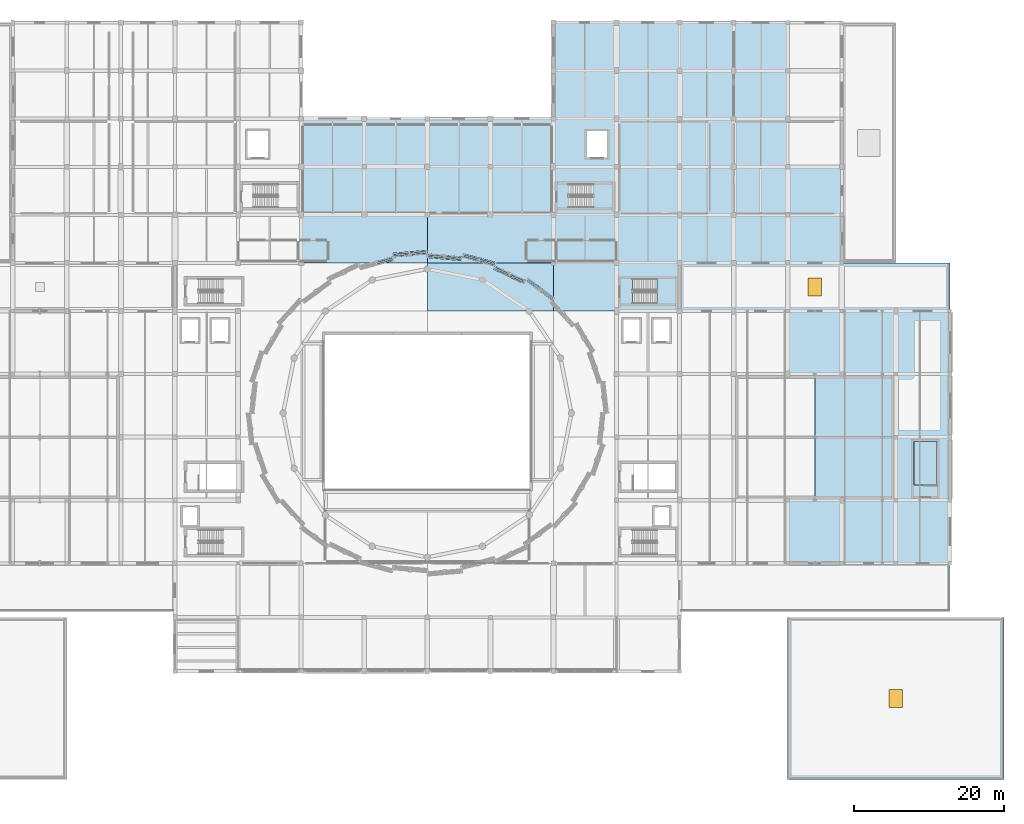
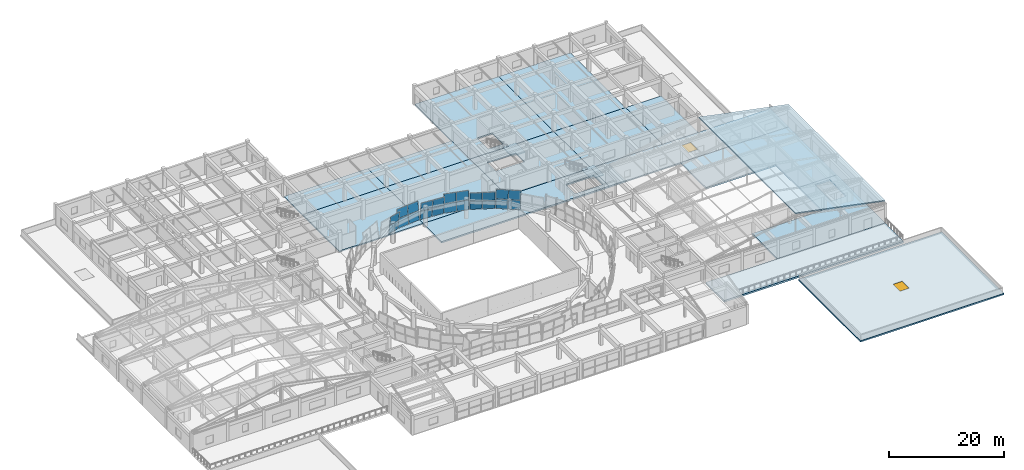
# One storey, part 52 of 74: 22 plates, 19 slabs, 2 windows, 2 openings, 8 elements without a shape of their own.
"""IFC4 building model written with IfcOpenShell, lengths in metres."""

from ifc_helpers import new_model, si_unit, direction, frame, origin, origin_2d, place, context, subcontext, project, spatial, polyline, rectangle, outline, extrude, material, layer, layer_set, type_object, element, fill, aggregate, save


model = new_model("IFC4")

# Units and contexts
model_context = context("Model", 3, precision=1e-05, world=origin(), true_north=direction((0.0, 1.0)))
body_context = subcontext(model_context, "Body", "Model", "MODEL_VIEW")
ifc_project = project(units=[si_unit("LENGTHUNIT", "METRE"), si_unit("AREAUNIT", "SQUARE_METRE"), si_unit("VOLUMEUNIT", "CUBIC_METRE"), si_unit("PLANEANGLEUNIT", "RADIAN"), si_unit("MASSUNIT", "GRAM", prefix="KILO")], contexts=[model_context])

# Site, building, storey
site_placement = place(None, origin())
site = spatial("IfcSite", under=ifc_project, at=site_placement, CompositionType="ELEMENT")
building_placement = place(site_placement, origin())
building = spatial("IfcBuilding", under=site, at=building_placement, Name="Korsvaeld Concert Hall", CompositionType="ELEMENT")
storey_placement = place(building_placement, frame((0.0, 0.0, 9.0)))
storey = spatial("IfcBuildingStorey", under=building, at=storey_placement, Name="L02", CompositionType="ELEMENT", Elevation=9.0)

# Curtain wall, plates
ifc_material_1 = material(Name="Anodised bronze and ceramic-fritted safety glass", Category="glass")
curtain_wall_type_1 = type_object("IfcCurtainWallType", Name="CW-TYPE-05", PredefinedType="USERDEFINED", material=ifc_material_1)
curtain_wall_1_placement = place(storey_placement, origin())
curtain_wall_1 = element("IfcCurtainWall", 1, at=curtain_wall_1_placement, inside=storey, type_object=curtain_wall_type_1, Name="Crystal curtain-wall facet L02 F05", ObjectType="CURTAIN WALL", PredefinedType="USERDEFINED")
ifc_material_2 = material(Name="Translucent ceramic-fritted crystal safety glass", Category="glass")
ifc_layer_1 = layer(ifc_material_2, 0.035888671875)
ifc_layer_set_1 = layer_set([ifc_layer_1], Name="Translucent ceramic-fritted crystal safety glass")
plate_type = type_object("IfcPlateType", Name="CWP-CRYSTAL-36", PredefinedType="CURTAIN_PANEL", material=ifc_layer_set_1)
plate_1_placement = place(storey_placement, frame((100.6318359375, 78.240234375, 0.06005859375), z_axis=(0.58966384127, 0.799752792031, -0.11265889196), x_axis=(-0.804877212545, 0.593441381012, -5.215109e-06)))
plate_1 = element("IfcPlate", 2, at=plate_1_placement, type_object=plate_type, Name="CW-CRYS-L02-F05 ceramic-fritted crystal panel 1.1", PredefinedType="CURTAIN_PANEL", context=body_context, shape_type="SweptSolid", body=[
    extrude(outline(polyline([(0.0, 0.0), (2.1089579535883605, -1.3877787807814457e-17), (2.086822375290605, 1.8617166035808894), (-0.022280461447416227, 1.8616944649944416), (0.0, 0.0)])), frame((0.0, 0.0, 0.01806640625)), (0.0, 0.0, -1.0), 0.035888671875),
])
plate_2_placement = place(storey_placement, frame((100.77880859375, 78.40087890625, 1.969970703125), z_axis=(0.589599242948, 0.799800689785, -0.112656954223), x_axis=(-0.804925146945, 0.593376362691, -3.844294e-06)))
plate_2 = element("IfcPlate", 3, at=plate_2_placement, type_object=plate_type, Name="CW-CRYS-L02-F05 ceramic-fritted crystal panel 1.2", PredefinedType="CURTAIN_PANEL", context=body_context, shape_type="SweptSolid", body=[
    extrude(outline(polyline([(0.0, 0.0), (2.1091544694851763, 1.3877787807814457e-17), (2.0870044759958724, 1.8619590184550607), (-0.021953478560850295, 1.8619426988996264), (0.0, 0.0)])), frame((0.0, 0.0, 0.01806640625)), (0.0, 0.0, -1.0), 0.035888671875),
])
plate_3_placement = place(storey_placement, frame((98.8740234375, 79.5361328125, 0.06005859375), z_axis=(0.589669009393, 0.799759801484, -0.112582055815), x_axis=(-0.804876511252, 0.593442332167, 5.21124e-06)))
plate_3 = element("IfcPlate", 4, at=plate_3_placement, type_object=plate_type, Name="CW-CRYS-L02-F05 ceramic-fritted crystal panel 2.1", PredefinedType="CURTAIN_PANEL", context=body_context, shape_type="SweptSolid", body=[
    extrude(outline(polyline([(0.0, 0.0), (2.1091028368541727, 0.0), (2.0870384134176914, 1.8616783883797805), (-0.021919540054604832, 1.8617005103474094), (0.0, 0.0)])), frame((0.0, 0.0, 0.01806640625)), (0.0, 0.0, -1.0), 0.035888671875),
])
plate_4_placement = place(storey_placement, frame((99.020751953125, 79.697021484375, 1.969970703125), z_axis=(0.589606250178, 0.799810195203, -0.112552749416), x_axis=(-0.80492463014, 0.593377063746, 3.841142e-06)))
plate_4 = element("IfcPlate", 5, at=plate_4_placement, type_object=plate_type, Name="CW-CRYS-L02-F05 ceramic-fritted crystal panel 2.2", PredefinedType="CURTAIN_PANEL", context=body_context, shape_type="SweptSolid", body=[
    extrude(outline(polyline([(0.0, 0.0), (2.108957954619836, -1.3877787807814457e-17), (2.086874010048548, 1.8619207482265476), (-0.02228045937356795, 1.8619370542060762), (0.0, 0.0)])), frame((0.0, 0.0, 0.01806640625)), (0.0, 0.0, -1.0), 0.035888671875),
])
aggregate(curtain_wall_1, [plate_1, plate_2, plate_3, plate_4])

curtain_wall_type_2 = type_object("IfcCurtainWallType", Name="CW-TYPE-06", PredefinedType="USERDEFINED", material=ifc_material_1)
curtain_wall_2_placement = place(storey_placement, origin())
curtain_wall_2 = element("IfcCurtainWall", 6, at=curtain_wall_2_placement, inside=storey, type_object=curtain_wall_type_2, Name="Crystal curtain-wall facet L02 F06", ObjectType="CURTAIN WALL", PredefinedType="USERDEFINED")
plate_5_placement = place(storey_placement, frame((97.040283203125, 80.853759765625, 0.06005859375), z_axis=(0.430113427157, 0.895703033921, 0.112776392934), x_axis=(-0.901453820686, 0.432875281302, -2.753526e-06)))
plate_5 = element("IfcPlate", 7, at=plate_5_placement, type_object=plate_type, Name="CW-CRYS-L02-F06 ceramic-fritted crystal panel 1.1", PredefinedType="CURTAIN_PANEL", context=body_context, shape_type="SweptSolid", body=[
    extrude(outline(polyline([(0.0, 0.0), (2.1504142538707636, 2.7755575615628914e-17), (2.1692688111347143, 1.8617366370278832), (0.018634475764759413, 1.8617247179411751), (0.0, 0.0)])), frame((0.0, 0.0, 0.01806640625)), (0.0, 0.0, -1.0), 0.035888671875),
])
plate_6_placement = place(storey_placement, frame((96.92919921875, 80.666748046875, 1.969970703125), z_axis=(0.430090776937, 0.89571226322, 0.112789472515), x_axis=(-0.901464591462, 0.432852850679, 0.0)))
plate_6 = element("IfcPlate", 8, at=plate_6_placement, type_object=plate_type, Name="CW-CRYS-L02-F06 ceramic-fritted crystal panel 1.2", PredefinedType="CURTAIN_PANEL", context=body_context, shape_type="SweptSolid", body=[
    extrude(outline(polyline([(0.0, 0.0), (2.150634336043882, 0.0), (2.1694992125629495, 1.8619791157700134), (0.01886487651906714, 1.8619791157700134), (0.0, 0.0)])), frame((0.0, 0.0, 0.01806640625)), (0.0, 0.0, -1.0), 0.035888671875),
])
plate_7_placement = place(storey_placement, frame((95.0341796875, 81.817138671875, 0.06005859375), z_axis=(0.429998436231, 0.895754874635, 0.112803144489), x_axis=(-0.901508884705, 0.432760592935, 0.0)))
plate_7 = element("IfcPlate", 9, at=plate_7_placement, type_object=plate_type, Name="CW-CRYS-L02-F06 ceramic-fritted crystal panel 2.1", PredefinedType="CURTAIN_PANEL", context=body_context, shape_type="SweptSolid", body=[
    extrude(outline(polyline([(0.0, 0.0), (2.1505286703400395, 0.0), (2.169415039256542, 1.8617363153269957), (0.01888636891650229, 1.8617363153269957), (0.0, 0.0)])), frame((0.0, 0.0, 0.01806640625)), (0.0, 0.0, -1.0), 0.035888671875),
])
plate_8_placement = place(storey_placement, frame((94.9228515625, 81.630126953125, 1.969970703125), z_axis=(0.430022527134, 0.89574865601, 0.112760682039), x_axis=(-0.901498388408, 0.432782457697, 2.752414e-06)))
plate_8 = element("IfcPlate", 10, at=plate_8_placement, type_object=plate_type, Name="CW-CRYS-L02-F06 ceramic-fritted crystal panel 2.2", PredefinedType="CURTAIN_PANEL", context=body_context, shape_type="SweptSolid", body=[
    extrude(outline(polyline([(0.0, 0.0), (2.15052866969938, 0.0), (2.169194944960207, 1.8619669834991164), (0.018886367640809625, 1.8619788971660192), (0.0, 0.0)])), frame((0.0, 0.0, 0.01806640625)), (0.0, 0.0, -1.0), 0.035888671875),
])
aggregate(curtain_wall_2, [plate_5, plate_6, plate_7, plate_8])

curtain_wall_type_3 = type_object("IfcCurtainWallType", Name="CW-TYPE-07", PredefinedType="USERDEFINED", material=ifc_material_1)
curtain_wall_3_placement = place(storey_placement, origin())
curtain_wall_3 = element("IfcCurtainWall", 11, at=curtain_wall_3_placement, inside=storey, type_object=curtain_wall_type_3, Name="Crystal curtain-wall facet L02 F07", ObjectType="CURTAIN WALL", PredefinedType="USERDEFINED")
plate_9_placement = place(storey_placement, frame((92.961181640625, 82.8125, 0.06005859375), z_axis=(0.261163257484, 0.95865482659, -0.113025114009), x_axis=(-0.964837427091, 0.262847368795, -1.651408e-06)))
plate_9 = element("IfcPlate", 12, at=plate_9_placement, type_object=plate_type, Name="CW-CRYS-L02-F07 ceramic-fritted crystal panel 1.1", PredefinedType="CURTAIN_PANEL", context=body_context, shape_type="SweptSolid", body=[
    extrude(outline(polyline([(0.0, 0.0), (2.181938867944761, 0.0), (2.1691792653197046, 1.8617871854522823), (-0.012524046612582879, 1.8617799328227183), (0.0, 0.0)])), frame((0.0, 0.0, 0.01806640625)), (0.0, 0.0, -1.0), 0.035888671875),
])
plate_10_placement = place(storey_placement, frame((93.03076171875, 83.0185546875, 1.969970703125), z_axis=(0.26128178054, 0.958626175241, -0.112994191446), x_axis=(-0.964805126409, 0.262965906641, 0.0)))
plate_10 = element("IfcPlate", 13, at=plate_10_placement, type_object=plate_type, Name="CW-CRYS-L02-F07 ceramic-fritted crystal panel 1.2", PredefinedType="CURTAIN_PANEL", context=body_context, shape_type="SweptSolid", body=[
    extrude(outline(polyline([(0.0, 0.0), (2.1817675001225645, 1.3877787807814457e-17), (2.1692723577260082, 1.862022704165911), (-0.01249514239655624, 1.862022704165911), (0.0, 0.0)])), frame((0.0, 0.0, 0.01806640625)), (0.0, 0.0, -1.0), 0.035888671875),
])
plate_11_placement = place(storey_placement, frame((90.78369140625, 83.40576171875, 0.06005859375), z_axis=(0.261177861988, 0.958652842085, -0.1130081978), x_axis=(-0.964833511963, 0.262861739689, 0.0)))
plate_11 = element("IfcPlate", 14, at=plate_11_placement, type_object=plate_type, Name="CW-CRYS-L02-F07 ceramic-fritted crystal panel 2.1", PredefinedType="CURTAIN_PANEL", context=body_context, shape_type="SweptSolid", body=[
    extrude(outline(polyline([(0.0, 0.0), (2.1817033121772686, -1.3877787807814457e-17), (2.1691854542095044, 1.8617799747159085), (-0.012517857967764405, 1.8617799747159085), (0.0, 0.0)])), frame((0.0, 0.0, 0.01806640625)), (0.0, 0.0, -1.0), 0.035888671875),
])
plate_12_placement = place(storey_placement, frame((90.853271484375, 83.61181640625, 1.969970703125), z_axis=(0.26128178054, 0.958626175241, -0.112994191446), x_axis=(-0.964805126409, 0.262965906641, 0.0)))
plate_12 = element("IfcPlate", 15, at=plate_12_placement, type_object=plate_type, Name="CW-CRYS-L02-F07 ceramic-fritted crystal panel 2.2", PredefinedType="CURTAIN_PANEL", context=body_context, shape_type="SweptSolid", body=[
    extrude(outline(polyline([(0.0, 0.0), (2.1817675001225645, 1.3877787807814457e-17), (2.1692723577260082, 1.862022704165911), (-0.01249514239655624, 1.862022704165911), (0.0, 0.0)])), frame((0.0, 0.0, 0.01806640625)), (0.0, 0.0, -1.0), 0.035888671875),
])
aggregate(curtain_wall_3, [plate_9, plate_10, plate_11, plate_12])

curtain_wall_type_4 = type_object("IfcCurtainWallType", Name="CW-TYPE-08", PredefinedType="USERDEFINED", material=ifc_material_1)
curtain_wall_4_placement = place(storey_placement, origin())
curtain_wall_4 = element("IfcCurtainWall", 16, at=curtain_wall_4_placement, inside=storey, type_object=curtain_wall_type_4, Name="Crystal curtain-wall facet L02 F08", ObjectType="CURTAIN WALL", PredefinedType="USERDEFINED")
plate_13_placement = place(storey_placement, frame((88.528564453125, 83.992431640625, 0.06005859375), z_axis=(0.087550800333, 0.989704699412, 0.113223077693), x_axis=(-0.996110030963, 0.088118137607, -6.221905e-06)))
plate_13 = element("IfcPlate", 17, at=plate_13_placement, type_object=plate_type, Name="CW-CRYS-L02-F08 ceramic-fritted crystal panel 1.1", PredefinedType="CURTAIN_PANEL", context=body_context, shape_type="SweptSolid", body=[
    extrude(outline(polyline([(0.0, 0.0), (2.1985040964360127, 0.0), (2.202872680257496, 1.8618396095481469), (0.004390097038672322, 1.861812074856083), (0.0, 0.0)])), frame((0.0, 0.0, 0.01806640625)), (0.0, 0.0, -1.0), 0.035888671875),
])
plate_14_placement = place(storey_placement, frame((88.5048828125, 83.776123046875, 1.969970703125), z_axis=(0.08755094843, 0.989706373559, 0.113208328167), x_axis=(-0.99611003098, 0.088118137423, -6.221105e-06)))
plate_14 = element("IfcPlate", 18, at=plate_14_placement, type_object=plate_type, Name="CW-CRYS-L02-F08 ceramic-fritted crystal panel 1.2", PredefinedType="CURTAIN_PANEL", context=body_context, shape_type="SweptSolid", body=[
    extrude(outline(polyline([(0.0, 0.0), (2.1985040964360016, -6.938893903907228e-18), (2.2028726802575074, 1.8620821786575152), (0.004390097038649884, 1.8620546475523847), (0.0, 0.0)])), frame((0.0, 0.0, 0.01806640625)), (0.0, 0.0, -1.0), 0.035888671875),
])
plate_15_placement = place(storey_placement, frame((86.263916015625, 84.19287109375, 0.06005859375), z_axis=(0.087496708916, 0.989716871347, 0.113158475156), x_axis=(-0.996114965607, 0.088062337539, 0.0)))
plate_15 = element("IfcPlate", 19, at=plate_15_placement, type_object=plate_type, Name="CW-CRYS-L02-F08 ceramic-fritted crystal panel 2.1", PredefinedType="CURTAIN_PANEL", context=body_context, shape_type="SweptSolid", body=[
    extrude(outline(polyline([(0.0, 0.0), (2.198482586710795, 0.0), (2.2028959951967466, 1.8618120236622642), (0.004413408485951821, 1.8618120236622642), (0.0, 0.0)])), frame((0.0, 0.0, 0.01806640625)), (0.0, 0.0, -1.0), 0.035888671875),
])
plate_16_placement = place(storey_placement, frame((86.240234375, 83.9765625, 1.969970703125), z_axis=(0.08755094843, 0.989706373559, 0.113208328167), x_axis=(-0.996110155902, 0.088116725255, 6.221166e-06)))
plate_16 = element("IfcPlate", 20, at=plate_16_placement, type_object=plate_type, Name="CW-CRYS-L02-F08 ceramic-fritted crystal panel 2.2", PredefinedType="CURTAIN_PANEL", context=body_context, shape_type="SweptSolid", body=[
    extrude(outline(polyline([(0.0, 0.0), (2.19848258339124, 0.0), (2.2028959985229655, 1.8620545924301783), (0.004391902259348233, 1.8620821238047118), (0.0, 0.0)])), frame((0.0, 0.0, 0.01806640625)), (0.0, 0.0, -1.0), 0.035888671875),
])
aggregate(curtain_wall_4, [plate_13, plate_14, plate_15, plate_16])

curtain_wall_type_5 = type_object("IfcCurtainWallType", Name="CW-TYPE-01", PredefinedType="USERDEFINED", material=ifc_material_1)
curtain_wall_5_placement = place(storey_placement, origin())
curtain_wall_5 = element("IfcCurtainWall", 21, at=curtain_wall_5_placement, inside=storey, type_object=curtain_wall_type_5, Name="Crystal curtain-wall facet L02 F09", ObjectType="CURTAIN WALL", PredefinedType="USERDEFINED")
plate_17_placement = place(storey_placement, frame((83.924560546875, 84.400146484375, 0.06005859375), z_axis=(-0.087550800333, 0.989704699412, -0.113223077693), x_axis=(-0.996110030963, -0.088118137607, -6.221905e-06)))
plate_17 = element("IfcPlate", 22, at=plate_17_placement, type_object=plate_type, Name="CW-CRYS-L02-F09 ceramic-fritted crystal panel 1.1", PredefinedType="CURTAIN_PANEL", context=body_context, shape_type="SweptSolid", body=[
    extrude(outline(polyline([(0.0, 0.0), (2.1985040964360127, 0.0), (2.202872680257496, 1.8618396095481469), (0.004390097038672322, 1.861812074856083), (0.0, 0.0)])), frame((0.0, 0.0, 0.01806640625)), (0.0, 0.0, -1.0), 0.035888671875),
])
plate_18_placement = place(storey_placement, frame((83.90087890625, 84.616455078125, 1.969970703125), z_axis=(-0.08755094843, 0.989706373559, -0.113208328167), x_axis=(-0.99611003098, -0.088118137423, -6.221105e-06)))
plate_18 = element("IfcPlate", 23, at=plate_18_placement, type_object=plate_type, Name="CW-CRYS-L02-F09 ceramic-fritted crystal panel 1.2", PredefinedType="CURTAIN_PANEL", context=body_context, shape_type="SweptSolid", body=[
    extrude(outline(polyline([(0.0, 0.0), (2.1985040964360016, -6.938893903907228e-18), (2.2028726802575074, 1.8620821786575152), (0.004390097038649884, 1.8620546475523847), (0.0, 0.0)])), frame((0.0, 0.0, 0.01806640625)), (0.0, 0.0, -1.0), 0.035888671875),
])
plate_19_placement = place(storey_placement, frame((81.659912109375, 84.19970703125, 0.06005859375), z_axis=(-0.087545901141, 0.989704481647, -0.113228769322), x_axis=(-0.996110581492, -0.088111914102, 5.671876e-06)))
plate_19 = element("IfcPlate", 24, at=plate_19_placement, type_object=plate_type, Name="CW-CRYS-L02-F09 ceramic-fritted crystal panel 2.1", PredefinedType="CURTAIN_PANEL", context=body_context, shape_type="SweptSolid", body=[
    extrude(outline(polyline([(0.0, 0.0), (2.1984825839525497, 0.0), (2.2031391900911093, 1.8618144533752725), (0.00439190338084598, 1.86183955534834), (0.0, 0.0)])), frame((0.0, 0.0, 0.01806640625)), (0.0, 0.0, -1.0), 0.035888671875),
])
plate_20_placement = place(storey_placement, frame((81.63623046875, 84.416015625, 1.969970703125), z_axis=(-0.087541265095, 0.98970723272, -0.113208305385), x_axis=(-0.996111018006, -0.088106979112, 6.220482e-06)))
plate_20 = element("IfcPlate", 25, at=plate_20_placement, type_object=plate_type, Name="CW-CRYS-L02-F09 ceramic-fritted crystal panel 2.2", PredefinedType="CURTAIN_PANEL", context=body_context, shape_type="SweptSolid", body=[
    extrude(outline(polyline([(0.0, 0.0), (2.1987257756269907, -3.469446951953614e-18), (2.203141250828412, 1.8620545875462846), (0.00439396470847407, 1.8620821189390757), (0.0, 0.0)])), frame((0.0, 0.0, 0.01806640625)), (0.0, 0.0, -1.0), 0.035888671875),
])
aggregate(curtain_wall_5, [plate_17, plate_18, plate_19, plate_20])

curtain_wall_type_6 = type_object("IfcCurtainWallType", Name="CW-TYPE-02", PredefinedType="USERDEFINED", material=ifc_material_1)
curtain_wall_6_placement = place(storey_placement, origin())
curtain_wall_6 = element("IfcCurtainWall", 26, at=curtain_wall_6_placement, inside=storey, type_object=curtain_wall_type_6, Name="Crystal curtain-wall facet L02 F10", ObjectType="CURTAIN WALL", PredefinedType="USERDEFINED")
plate_21_placement = place(storey_placement, frame((79.32568359375, 83.96630859375, 0.06005859375), z_axis=(-0.261177861988, 0.958652842085, 0.1130081978), x_axis=(-0.964833511963, -0.262861739689, 0.0)))
plate_21 = element("IfcPlate", 27, at=plate_21_placement, type_object=plate_type, Name="CW-CRYS-L02-F10 ceramic-fritted crystal panel 1.1", PredefinedType="CURTAIN_PANEL", context=body_context, shape_type="SweptSolid", body=[
    extrude(outline(polyline([(0.0, 0.0), (2.1817033121772686, -1.3877787807814457e-17), (2.1691854542095044, 1.8617799747159085), (-0.012517857967764405, 1.8617799747159085), (0.0, 0.0)])), frame((0.0, 0.0, 0.01806640625)), (0.0, 0.0, -1.0), 0.035888671875),
])
plate_22_placement = place(storey_placement, frame((79.395263671875, 83.76025390625, 1.969970703125), z_axis=(-0.261267170979, 0.958628162452, 0.113011112386), x_axis=(-0.964808945702, -0.262951893492, 1.651991e-06)))
plate_22 = element("IfcPlate", 28, at=plate_22_placement, type_object=plate_type, Name="CW-CRYS-L02-F10 ceramic-fritted crystal panel 1.2", PredefinedType="CURTAIN_PANEL", context=body_context, shape_type="SweptSolid", body=[
    extrude(outline(polyline([(0.0, 0.0), (2.18176749988946, -1.3877787807814457e-17), (2.1692723579577784, 1.8620227038958976), (-0.012730690990690737, 1.8620299592839915), (0.0, 0.0)])), frame((0.0, 0.0, 0.01806640625)), (0.0, 0.0, -1.0), 0.035888671875),
])
aggregate(curtain_wall_6, [plate_21, plate_22])

# Slab, opening, window
ifc_material_3 = material(Name="Concrete C35/45", Category="concrete")
ifc_layer_2 = layer(ifc_material_3, 0.300048828125)
ifc_layer_set_2 = layer_set([ifc_layer_2], Name="Concrete C35/45")
slab_type_1 = type_object("IfcSlabType", Name="SLB-FLATROOF-300", PredefinedType="ROOF", material=ifc_layer_set_2)
slab_1_placement = place(storey_placement, frame((0.0, 0.0, -0.300048828125)))
slab_1 = element("IfcSlab", 29, at=slab_1_placement, inside=storey, type_object=slab_type_1, Name="Flat acoustic roof ROOF_L02_SE", PredefinedType="ROOF", context=body_context, shape_type="SweptSolid", body=[
    extrude(outline(polyline([(132.0, 14.39990234375), (132.0, 36.0), (160.800048828125, 36.0), (160.800048828125, 14.39990234375), (132.0, 14.39990234375)])), origin(), (0.0, 0.0, 1.0), 0.300048828125),
])
opening_1_placement = place(slab_1_placement, frame((146.39990234375, 25.199951171875, -0.010009765625)))
opening_1 = element("IfcOpeningElement", 30, at=opening_1_placement, cuts=slab_1, Name="Opening SK-02", PredefinedType="OPENING", context=body_context, shape_type="SweptSolid", body=[
    extrude(rectangle(XDim=1.800048828125, YDim=2.39990234375, at=origin_2d()), origin(), (0.0, 0.0, 1.0), 0.320068359375),
])
ifc_material_4 = material(Name="Anodised bronze frame with acoustic triple glazing", Category="glass")
window_type = type_object("IfcWindowType", Name="SKY-LIGHT-180x240", PartitioningType="SINGLE_PANEL", PredefinedType="SKYLIGHT", material=ifc_material_4)
window_1_placement = place(slab_1_placement, frame((146.39990234375, 25.199951171875, 0.25)))
window_1 = element("IfcWindow", 31, at=window_1_placement, inside=storey, type_object=window_type, Name="Acoustic skylight / roof hatch SLB-ROOF_L02_SE", OverallHeight=2.39990234375, OverallWidth=1.800048828125, PartitioningType="SINGLE_PANEL", PredefinedType="SKYLIGHT", context=body_context, shape_type="SweptSolid", body=[
    extrude(rectangle(XDim=1.800048828125, YDim=2.39990234375, at=origin_2d()), origin(), (0.0, 0.0, 1.0), 0.050048828125),
])
fill(opening_1, window_1)

slab_2_placement = place(storey_placement, frame((0.0, 0.0, -0.300048828125)))
slab_2 = element("IfcSlab", 32, at=slab_2_placement, inside=storey, type_object=slab_type_1, Name="Flat acoustic roof ROOF_L02_V2N", PredefinedType="ROOF", context=body_context, shape_type="SweptSolid", body=[
    extrude(outline(polyline([(117.60009765625, 76.800048828125), (117.60009765625, 83.199951171875), (153.60009765625, 83.199951171875), (153.60009765625, 76.800048828125), (117.60009765625, 76.800048828125)])), origin(), (0.0, 0.0, 1.0), 0.300048828125),
])
opening_2_placement = place(slab_2_placement, frame((135.60009765625, 80.0, -0.010009765625)))
opening_2 = element("IfcOpeningElement", 33, at=opening_2_placement, cuts=slab_2, Name="Opening SK-02", PredefinedType="OPENING", context=body_context, shape_type="SweptSolid", body=[
    extrude(rectangle(XDim=1.800048828125, YDim=2.39990234375, at=origin_2d()), origin(), (0.0, 0.0, 1.0), 0.320068359375),
])
window_2_placement = place(slab_2_placement, frame((135.60009765625, 80.0, 0.25)))
window_2 = element("IfcWindow", 34, at=window_2_placement, inside=storey, type_object=window_type, Name="Acoustic skylight / roof hatch SLB-ROOF_L02_V2N", OverallHeight=2.39990234375, OverallWidth=1.800048828125, PartitioningType="SINGLE_PANEL", PredefinedType="SKYLIGHT", context=body_context, shape_type="SweptSolid", body=[
    extrude(rectangle(XDim=1.800048828125, YDim=2.39990234375, at=origin_2d()), origin(), (0.0, 0.0, 1.0), 0.050048828125),
])
fill(opening_2, window_2)

# Slabs
ifc_layer_3 = layer(ifc_material_3, 0.320068359375)
ifc_layer_set_3 = layer_set([ifc_layer_3], Name="Concrete C35/45")
slab_type_2 = type_object("IfcSlabType", Name="SLB-HALL-320", PredefinedType="FLOOR", material=ifc_layer_set_3)
slab_3_placement = place(storey_placement, frame((0.0, 0.0, -0.320068359375)))
element("IfcSlab", 35, at=slab_3_placement, inside=storey, type_object=slab_type_2, Name="Structural slab L02 V1_L02 3.3", PredefinedType="FLOOR", context=body_context, shape_type="SweptSolid", body=[
    extrude(outline(polyline([(84.0, 76.800048828125), (84.0, 83.199951171875), (100.800048828125, 83.199951171875), (100.800048828125, 76.800048828125), (84.0, 76.800048828125)])), origin(), (0.0, 0.0, 1.0), 0.320068359375),
])
slab_4_placement = place(storey_placement, frame((0.0, 0.0, -0.320068359375)))
element("IfcSlab", 36, at=slab_4_placement, inside=storey, type_object=slab_type_2, Name="Structural slab L02 V1_L02 4.3", PredefinedType="FLOOR", context=body_context, shape_type="SweptSolid", body=[
    extrude(outline(polyline([(100.800048828125, 76.800048828125), (100.800048828125, 83.199951171875), (117.60009765625, 83.199951171875), (117.60009765625, 76.800048828125), (100.800048828125, 76.800048828125)]), holes=[polyline([(117.0048828125, 77.794921875), (117.0048828125, 81.044921875), (111.344970703125, 81.044921875), (111.344970703125, 77.794921875), (117.0048828125, 77.794921875)])]), origin(), (0.0, 0.0, 1.0), 0.320068359375),
])
slab_5_placement = place(storey_placement, frame((0.0, 0.0, -0.320068359375)))
element("IfcSlab", 37, at=slab_5_placement, inside=storey, type_object=slab_type_2, Name="Structural slab L02 V2_L02 2.1", PredefinedType="FLOOR", context=body_context, shape_type="SweptSolid", body=[
    extrude(outline(polyline([(153.60009765625, 60.0), (153.60009765625, 43.199951171875), (132.0, 43.199951171875), (132.0, 52.0), (146.0, 52.0), (146.0, 60.0), (153.60009765625, 60.0)]), holes=[polyline([(151.844970703125, 53.64501953125), (151.844970703125, 59.405029296875), (148.794921875, 59.405029296875), (148.794921875, 53.64501953125), (151.844970703125, 53.64501953125)])]), origin(), (0.0, 0.0, 1.0), 0.320068359375),
])
slab_6_placement = place(storey_placement, frame((0.0, 0.0, -0.320068359375)))
element("IfcSlab", 38, at=slab_6_placement, inside=storey, type_object=slab_type_2, Name="Structural slab L02 V2_L02 2.2", PredefinedType="FLOOR", context=body_context, shape_type="SweptSolid", body=[
    extrude(outline(polyline([(132.0, 76.800048828125), (153.60009765625, 76.800048828125), (153.60009765625, 60.0), (146.0, 60.0), (146.0, 68.0), (132.0, 68.0), (132.0, 76.800048828125)])), origin(), (0.0, 0.0, 1.0), 0.320068359375),
])

# Stair, slab
ifc_material_5 = material(Name="Precast concrete C40/50", Category="concrete")
stair_type_1 = type_object("IfcStairType", Name="STR-HT-155-42", PredefinedType="HALF_TURN_STAIR", material=ifc_material_5)
stair_1_placement = place(storey_placement, origin())
stair_1 = element("IfcStair", 39, at=stair_1_placement, inside=storey, type_object=stair_type_1, Name="L02 ST-K2", PredefinedType="HALF_TURN_STAIR")
ifc_layer_4 = layer(ifc_material_5, 0.179931640625)
ifc_layer_set_4 = layer_set([ifc_layer_4], Name="Precast concrete C40/50")
slab_type_3 = type_object("IfcSlabType", Name="SLB-LANDING-180", PredefinedType="LANDING", material=ifc_layer_set_4)
slab_7_placement = place(storey_placement, frame((0.0, 0.0, 1.919921875)))
slab_7 = element("IfcSlab", 40, at=slab_7_placement, type_object=slab_type_3, Name="ST-K2 landing 1", PredefinedType="LANDING", context=body_context, shape_type="SweptSolid", body=[
    extrude(outline(polyline([(114.56005859375, 77.7099609375), (114.56005859375, 81.1298828125), (117.090087890625, 81.1298828125), (117.090087890625, 77.7099609375), (114.56005859375, 77.7099609375)])), origin(), (0.0, 0.0, 1.0), 0.18017578125),
])
aggregate(stair_1, [slab_7])

stair_type_2 = type_object("IfcStairType", Name="STR-HT-145-42", PredefinedType="HALF_TURN_STAIR", material=ifc_material_5)
stair_2_placement = place(storey_placement, origin())
stair_2 = element("IfcStair", 41, at=stair_2_placement, inside=storey, type_object=stair_type_2, Name="L02 ST-K6", PredefinedType="HALF_TURN_STAIR")
slab_8_placement = place(storey_placement, frame((0.0, 0.0, 1.919921875)))
slab_8 = element("IfcSlab", 42, at=slab_8_placement, type_object=slab_type_3, Name="ST-K6 landing 1", PredefinedType="LANDING", context=body_context, shape_type="SweptSolid", body=[
    extrude(outline(polyline([(106.06005859375, 90.510009765625), (106.06005859375, 93.72998046875), (108.68994140625, 93.72998046875), (108.68994140625, 90.510009765625), (106.06005859375, 90.510009765625)])), origin(), (0.0, 0.0, 1.0), 0.18017578125),
])
aggregate(stair_2, [slab_8])

# Slabs
ifc_layer_5 = layer(ifc_material_3, 0.219970703125)
ifc_layer_set_5 = layer_set([ifc_layer_5], Name="Concrete C35/45")
slab_type_4 = type_object("IfcSlabType", Name="SLB-ROOF-220", PredefinedType="ROOF", material=ifc_layer_set_5)
slab_9_placement = place(storey_placement, frame((135.60009765625, 43.199951171875, 8.39990234375), z_axis=(0.196108462057, 0.0, 0.980582210276), x_axis=(0.980582210276, 0.0, -0.196108462057)))
element("IfcSlab", 43, at=slab_9_placement, inside=storey, type_object=slab_type_4, Name="Chamber Music Hall pitched copper roof East", PredefinedType="ROOF", context=body_context, shape_type="SweptSolid", body=[
    extrude(outline(polyline([(0.0, 0.0), (18.356441521546532, 0.0), (18.356441521546532, 33.60009765625), (0.0, 33.60009765625), (0.0, 0.0)])), origin(), (0.0, 0.0, -1.0), 0.219970703125),
])
ifc_layer_6 = layer(ifc_material_3, 0.360107421875)
ifc_layer_set_6 = layer_set([ifc_layer_6], Name="Concrete C35/45")
slab_type_5 = type_object("IfcSlabType", Name="SLB-TERR-360", PredefinedType="ROOF", material=ifc_layer_set_6)
slab_10_placement = place(storey_placement, frame((0.0, 0.0, -0.360107421875)))
element("IfcSlab", 44, at=slab_10_placement, inside=storey, type_object=slab_type_5, Name="East Charbagh Terrace Garden", PredefinedType="ROOF", context=body_context, shape_type="SweptSolid", body=[
    extrude(outline(polyline([(153.60009765625, 36.800048828125), (153.60009765625, 43.199951171875), (117.60009765625, 43.199951171875), (117.60009765625, 36.800048828125), (153.60009765625, 36.800048828125)])), origin(), (0.0, 0.0, 1.0), 0.360107421875),
])
ifc_layer_7 = layer(ifc_material_3, 0.25)
ifc_layer_set_7 = layer_set([ifc_layer_7], Name="Concrete C35/45")
slab_type_6 = type_object("IfcSlabType", Name="SLB-WING-250", PredefinedType="FLOOR", material=ifc_layer_set_7)
slab_11_placement = place(storey_placement, frame((0.0, 0.0, -0.25)))
element("IfcSlab", 45, at=slab_11_placement, inside=storey, type_object=slab_type_6, Name="Structural slab L02 V5_L02_C 1.1", PredefinedType="FLOOR", context=body_context, shape_type="SweptSolid", body=[
    extrude(outline(polyline([(67.199951171875, 83.199951171875), (67.199951171875, 96.0), (84.0, 96.0), (84.0, 83.199951171875), (67.199951171875, 83.199951171875)])), origin(), (0.0, 0.0, 1.0), 0.25),
])
slab_12_placement = place(storey_placement, frame((0.0, 0.0, -0.25)))
element("IfcSlab", 46, at=slab_12_placement, inside=storey, type_object=slab_type_6, Name="Structural slab L02 V5_L02_C 1.2", PredefinedType="FLOOR", context=body_context, shape_type="SweptSolid", body=[
    extrude(outline(polyline([(67.199951171875, 96.0), (67.199951171875, 102.39990234375), (84.0, 102.39990234375), (84.0, 96.0), (67.199951171875, 96.0)])), origin(), (0.0, 0.0, 1.0), 0.25),
])
slab_13_placement = place(storey_placement, frame((0.0, 0.0, -0.25)))
element("IfcSlab", 47, at=slab_13_placement, inside=storey, type_object=slab_type_6, Name="Structural slab L02 V5_L02_C 2.1", PredefinedType="FLOOR", context=body_context, shape_type="SweptSolid", body=[
    extrude(outline(polyline([(84.0, 83.199951171875), (84.0, 96.0), (100.800048828125, 96.0), (100.800048828125, 83.199951171875), (84.0, 83.199951171875)])), origin(), (0.0, 0.0, 1.0), 0.25),
])
slab_14_placement = place(storey_placement, frame((0.0, 0.0, -0.25)))
element("IfcSlab", 48, at=slab_14_placement, inside=storey, type_object=slab_type_6, Name="Structural slab L02 V5_L02_C 2.2", PredefinedType="FLOOR", context=body_context, shape_type="SweptSolid", body=[
    extrude(outline(polyline([(84.0, 96.0), (84.0, 102.39990234375), (100.800048828125, 102.39990234375), (100.800048828125, 96.0), (84.0, 96.0)])), origin(), (0.0, 0.0, 1.0), 0.25),
])
slab_15_placement = place(storey_placement, frame((0.0, 0.0, -0.25)))
element("IfcSlab", 49, at=slab_15_placement, inside=storey, type_object=slab_type_6, Name="Structural slab L02 V5_L02_E 1.1", PredefinedType="FLOOR", context=body_context, shape_type="SweptSolid", body=[
    extrude(outline(polyline([(100.800048828125, 83.199951171875), (100.800048828125, 96.0), (117.60009765625, 96.0), (117.60009765625, 83.199951171875), (100.800048828125, 83.199951171875)]), holes=[polyline([(102.844970703125, 90.594970703125), (108.60498046875, 90.594970703125), (108.60498046875, 93.64501953125), (102.844970703125, 93.64501953125), (102.844970703125, 90.594970703125)])]), origin(), (0.0, 0.0, 1.0), 0.25),
])
slab_16_placement = place(storey_placement, frame((0.0, 0.0, -0.25)))
element("IfcSlab", 50, at=slab_16_placement, inside=storey, type_object=slab_type_6, Name="Structural slab L02 V5_L02_E 1.2", PredefinedType="FLOOR", context=body_context, shape_type="SweptSolid", body=[
    extrude(outline(polyline([(100.800048828125, 96.0), (100.800048828125, 115.199951171875), (117.60009765625, 115.199951171875), (117.60009765625, 96.0), (100.800048828125, 96.0)]), holes=[polyline([(108.10009765625, 97.10009765625), (108.10009765625, 100.89990234375), (105.10009765625, 100.89990234375), (105.10009765625, 97.10009765625), (108.10009765625, 97.10009765625)])]), origin(), (0.0, 0.0, 1.0), 0.25),
])
slab_17_placement = place(storey_placement, frame((0.0, 0.0, -0.25)))
element("IfcSlab", 51, at=slab_17_placement, inside=storey, type_object=slab_type_6, Name="Structural slab L02 V5_L02_E 2.1", PredefinedType="FLOOR", context=body_context, shape_type="SweptSolid", body=[
    extrude(outline(polyline([(117.60009765625, 83.199951171875), (117.60009765625, 96.0), (132.0, 96.0), (132.0, 83.199951171875), (117.60009765625, 83.199951171875)])), origin(), (0.0, 0.0, 1.0), 0.25),
])
slab_18_placement = place(storey_placement, frame((0.0, 0.0, -0.25)))
element("IfcSlab", 52, at=slab_18_placement, inside=storey, type_object=slab_type_6, Name="Structural slab L02 V5_L02_E 2.2", PredefinedType="FLOOR", context=body_context, shape_type="SweptSolid", body=[
    extrude(outline(polyline([(117.60009765625, 96.0), (117.60009765625, 115.199951171875), (132.0, 115.199951171875), (132.0, 96.0), (117.60009765625, 96.0)])), origin(), (0.0, 0.0, 1.0), 0.25),
])
slab_19_placement = place(storey_placement, frame((0.0, 0.0, -0.25)))
element("IfcSlab", 53, at=slab_19_placement, inside=storey, type_object=slab_type_6, Name="Structural slab L02 V5_L02_E 3.1", PredefinedType="FLOOR", context=body_context, shape_type="SweptSolid", body=[
    extrude(outline(polyline([(132.0, 83.199951171875), (132.0, 96.0), (139.199951171875, 96.0), (139.199951171875, 83.199951171875), (132.0, 83.199951171875)])), origin(), (0.0, 0.0, 1.0), 0.25),
])

save(model, "model.ifc")
